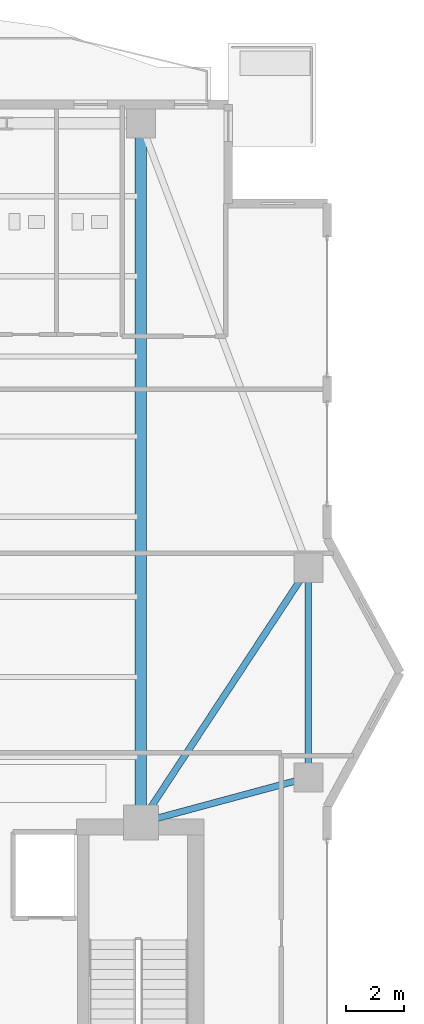
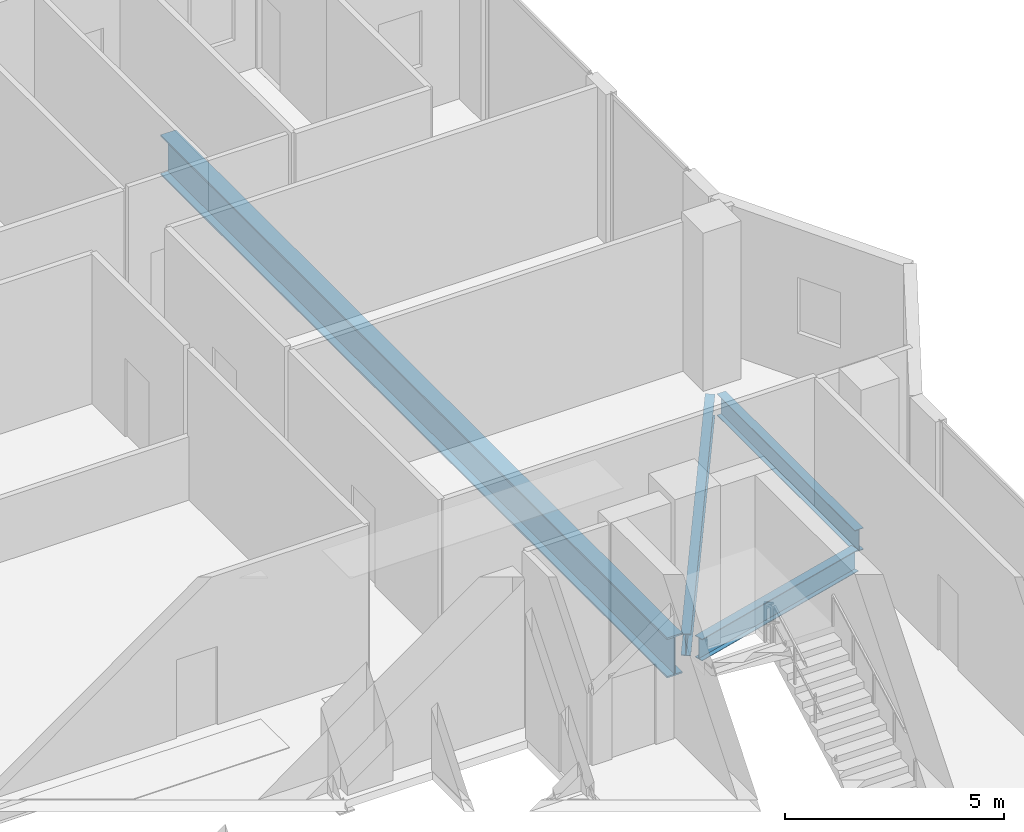
# One storey, part 9 of 24: 4 beams.
"""IFC4 building model written with IfcOpenShell, lengths in metres."""

import ifcopenshell
import ifcopenshell.guid

model = None  # the IFC model being written
_history = None  # IfcOwnerHistory: only IFC2X3 demands one
_inside = {}  # id of a spatial element -> (the spatial element, [elements in it])
_under = {}  # id of a project, library or spatial element -> (it, [spatial elements below it])
_declared = {}  # id of a project -> (the project, [libraries it declares])
_typed = {}  # id of a type object -> (the type object, [elements of that type])
_made_of = {}  # id of a material, layer set ... -> (it, [elements and type objects made of it])


def new_model(schema):
    """Start an empty IFC model of exactly this schema.

    Asked for "IFC4X3", IfcOpenShell would pick the latest addendum, in which some entities
    have other attributes; the version numbers below select the first issue.
    IFC2X3 requires an IfcOwnerHistory on every rooted entity: one is made here for all.
    """
    global model, _history
    if schema == "IFC4X3":
        model = ifcopenshell.file(schema_version=(4, 3, 0, 0))
    else:
        model = ifcopenshell.file(schema=schema)
    _inside.clear()
    _under.clear()
    _declared.clear()
    _typed.clear()
    _made_of.clear()
    _history = None
    if model.schema == "IFC2X3":
        org = make("IfcOrganization", Name="unknown")
        user = make(
            "IfcPersonAndOrganization",
            ThePerson=make("IfcPerson", FamilyName="unknown"),
            TheOrganization=org,
        )
        app = make(
            "IfcApplication",
            ApplicationDeveloper=org,
            Version="unknown",
            ApplicationFullName="unknown",
            ApplicationIdentifier="unknown",
        )
        _history = make(
            "IfcOwnerHistory",
            OwningUser=user,
            OwningApplication=app,
            ChangeAction="ADDED",
            CreationDate=0,
        )
    return model


def make(cls, **values):
    """One entity of the class cls with the attributes given. An attribute that is None is left unset."""
    return model.create_entity(
        cls, **{name: value for name, value in values.items() if value is not None}
    )


def rooted(cls, **values):
    """An entity with a GlobalId (a new one), such as an element, a storey or a relation."""
    return make(cls, GlobalId=ifcopenshell.guid.new(), OwnerHistory=_history, **values)


def si_unit(unit_type, name, prefix=None):
    """IfcSIUnit, for example si_unit("LENGTHUNIT", "METRE", prefix="MILLI")."""
    return make("IfcSIUnit", UnitType=unit_type, Prefix=prefix, Name=name)


def assignment(units):
    """IfcUnitAssignment: the units of a project."""
    return None if units is None else make("IfcUnitAssignment", Units=units)


def point(xyz):
    """IfcCartesianPoint."""
    return None if xyz is None else make("IfcCartesianPoint", Coordinates=xyz)


def direction(xyz):
    """IfcDirection."""
    return None if xyz is None else make("IfcDirection", DirectionRatios=xyz)


def frame(location, z_axis=None, x_axis=None):
    """IfcAxis2Placement3D, a coordinate frame: its origin and axes. An axis left out is left unset."""
    return make(
        "IfcAxis2Placement3D",
        Location=point(location),
        Axis=direction(z_axis),
        RefDirection=direction(x_axis),
    )


def frame_2d(location, x_axis=None):
    """IfcAxis2Placement2D, a coordinate frame in the plane: its origin and x axis."""
    return make(
        "IfcAxis2Placement2D", Location=point(location), RefDirection=direction(x_axis)
    )


def origin():
    """The frame at (0, 0, 0) with its axes left unset."""
    return frame((0.0, 0.0, 0.0))


def origin_2d():
    """The frame at (0, 0) in the plane with its x axis left unset."""
    return frame_2d((0.0, 0.0))


def place(relative_to, where):
    """IfcLocalPlacement: puts the frame where relative to a parent placement (None: the world)."""
    return make(
        "IfcLocalPlacement", PlacementRelTo=relative_to, RelativePlacement=where
    )


def context(
    kind, dimensions, precision=None, world=None, true_north=None, identifier=None
):
    """IfcGeometricRepresentationContext, for example the 3D "Model" context."""
    return make(
        "IfcGeometricRepresentationContext",
        ContextIdentifier=identifier,
        ContextType=kind,
        CoordinateSpaceDimension=dimensions,
        Precision=precision,
        WorldCoordinateSystem=world,
        TrueNorth=true_north,
    )


def subcontext(parent, identifier, kind, view, scale=None):
    """IfcGeometricRepresentationSubContext, for example "Body" below "Model"."""
    return make(
        "IfcGeometricRepresentationSubContext",
        ContextIdentifier=identifier,
        ContextType=kind,
        ParentContext=parent,
        TargetScale=scale,
        TargetView=view,
    )


def project(units=None, contexts=None):
    """IfcProject with its units and contexts."""
    return rooted(
        "IfcProject",
        Name="project",
        RepresentationContexts=contexts,
        UnitsInContext=assignment(units),
    )


def spatial(cls, under=None, at=None, **own):
    """A site, building, storey or space (cls), placed at a placement, below another one or the project."""
    s = rooted(cls, ObjectPlacement=at, **own)
    if under is not None:
        _under.setdefault(under.id(), (under, []))[1].append(s)
    return s


def profile(cls, at=None, kind="AREA", **sizes):
    """A parametric profile (cls). Its sizes go by their IFC names, for example OverallWidth=200.0."""
    return make(cls, ProfileType=kind, Position=at, **sizes)


def i_section(**sizes):
    """IfcIShapeProfileDef."""
    return profile("IfcIShapeProfileDef", **sizes)


def extrude(swept, where, along, depth):
    """IfcExtrudedAreaSolid: the profile swept, set in the frame where, extruded along a direction by depth."""
    return make(
        "IfcExtrudedAreaSolid",
        SweptArea=swept,
        Position=where,
        ExtrudedDirection=direction(along),
        Depth=depth,
    )


def shape(context_of_items, identifier, shape_type, items):
    """IfcShapeRepresentation: the items that make up one representation, for example the "Body"."""
    return make(
        "IfcShapeRepresentation",
        ContextOfItems=context_of_items,
        RepresentationIdentifier=identifier,
        RepresentationType=shape_type,
        Items=items,
    )


def material(Name=None, Category=None):
    """IfcMaterial."""
    return make("IfcMaterial", Name=Name, Category=Category)


def material_profile(
    of_material, cross_section, Name=None, Category=None, Priority=None
):
    """IfcMaterialProfile: a cross section and its material."""
    return make(
        "IfcMaterialProfile",
        Name=Name,
        Material=of_material,
        Profile=cross_section,
        Priority=Priority,
        Category=Category,
    )


def profile_set(profiles, Name=None, composite=None):
    """IfcMaterialProfileSet."""
    return make(
        "IfcMaterialProfileSet",
        Name=Name,
        MaterialProfiles=profiles,
        CompositeProfile=composite,
    )


def made_of(thing, what):
    """Note that an element or type object is made of a material, layer set ...; save() writes the relation."""
    if what is not None:
        _made_of.setdefault(what.id(), (what, []))[1].append(thing)
    return thing


def type_object(cls, material=None, **own):
    """A type object (cls), such as IfcWallType, which elements share."""
    return made_of(rooted(cls, **own), material)


def element(
    cls,
    number,
    at=None,
    inside=None,
    cuts=None,
    type_object=None,
    material=None,
    context=None,
    identifier="Body",
    shape_type=None,
    held_by="IfcProductDefinitionShape",
    body=None,
    shapes=None,
    **own,
):
    """One element of the class cls, such as IfcWall. Its Tag is "e" and its number.

    at: its placement. inside: the storey or other place that contains it. cuts: it is an
    opening in that element (IfcRelVoidsElement). A single representation is given by context,
    identifier, shape_type and body (its items); several are given by shapes. held_by: the class
    of the entity that holds the representations. save() writes the other relations.
    """
    e = rooted(cls, Tag="e%d" % number, ObjectPlacement=at, **own)
    if body is not None:
        shapes = [shape(context, identifier, shape_type, body)]
    if shapes is not None:
        e.Representation = make(held_by, Representations=shapes)
    if inside is not None:
        _inside.setdefault(inside.id(), (inside, []))[1].append(e)
    if cuts is not None:
        rooted(
            "IfcRelVoidsElement", RelatingBuildingElement=cuts, RelatedOpeningElement=e
        )
    if type_object is not None:
        _typed.setdefault(type_object.id(), (type_object, []))[1].append(e)
    return made_of(e, material)


def aggregate(whole, parts):
    """IfcRelAggregates: a whole, such as a stair, and the parts it consists of."""
    return rooted("IfcRelAggregates", RelatingObject=whole, RelatedObjects=parts)


def save(model, path):
    """Write the relations noted so far, then the file.

    IfcRelAggregates (storeys below a building ...), IfcRelContainedInSpatialStructure (elements
    in a storey), IfcRelDefinesByType, IfcRelAssociatesMaterial and IfcRelDeclares: one each for
    every whole, place, type object, material and project.
    """
    for whole, parts in _under.values():
        aggregate(whole, parts)
    for where, things in _inside.values():
        rooted(
            "IfcRelContainedInSpatialStructure",
            RelatedElements=things,
            RelatingStructure=where,
        )
    for kind, things in _typed.values():
        rooted("IfcRelDefinesByType", RelatedObjects=things, RelatingType=kind)
    for what, things in _made_of.values():
        rooted("IfcRelAssociatesMaterial", RelatedObjects=things, RelatingMaterial=what)
    for by, libraries in _declared.values():
        rooted("IfcRelDeclares", RelatingContext=by, RelatedDefinitions=libraries)
    model.write(path)


model = new_model("IFC4")

# Units and contexts
model_context = context("Model", 3, precision=1e-05, world=origin(), true_north=direction((0.0, 1.0)))
body_context = subcontext(model_context, "Body", "Model", "MODEL_VIEW")
ifc_project = project(units=[si_unit("LENGTHUNIT", "METRE"), si_unit("AREAUNIT", "SQUARE_METRE"), si_unit("VOLUMEUNIT", "CUBIC_METRE"), si_unit("PLANEANGLEUNIT", "RADIAN"), si_unit("MASSUNIT", "GRAM", prefix="KILO")], contexts=[model_context])

# Site, building, storey
site_placement = place(None, origin())
site = spatial("IfcSite", under=ifc_project, at=site_placement, CompositionType="ELEMENT")
building_placement = place(site_placement, origin())
building = spatial("IfcBuilding", under=site, at=building_placement, Name="Zuhayl Quay Hotel", CompositionType="ELEMENT")
storey_placement = place(building_placement, frame((0.0, 0.0, 292.85009765625)))
storey = spatial("IfcBuildingStorey", under=building, at=storey_placement, Name="L74", CompositionType="ELEMENT", Elevation=292.85009765625)

# Beams
ifc_material_1 = material(Name="Steel ASTM A992 Grade 50", Category="steel")
ifc_material_profile_1 = material_profile(ifc_material_1, i_section(OverallWidth=0.22802734375, OverallDepth=0.60693359375, WebThickness=0.01123046875, FlangeThickness=0.017333984375, at=origin_2d()), Name="W24X76")
ifc_profile_set_1 = profile_set([ifc_material_profile_1], Name="Steel ASTM A992 Grade 50")
beam_type_1 = type_object("IfcBeamType", Name="BM_B3_W24X76", PredefinedType="BEAM", material=ifc_profile_set_1)
beam_1_placement = place(storey_placement, frame((19.550048828125, 16.360107421875, -0.523681640625), z_axis=(0.0, 1.0, 0.0), x_axis=(-1.0, 0.0, 0.0)))
element("IfcBeam", 1, at=beam_1_placement, inside=storey, type_object=beam_type_1, Name="L74 Floor Beam RG_L74_05", PredefinedType="BEAM", context=body_context, shape_type="SweptSolid", body=[
    extrude(i_section(OverallWidth=0.22802734375, OverallDepth=0.60693359375, WebThickness=0.01123046875, FlangeThickness=0.017333984375, at=origin_2d()), origin(), (0.0, 0.0, 1.0), 6.27978515625),
])
beam_2_placement = place(storey_placement, frame((14.234619140625, 14.467041015625, -0.523681640625), z_axis=(0.965530205773, 0.26029103277, 0.0), x_axis=(-0.26029103277, 0.965530205773, 0.0)))
element("IfcBeam", 2, at=beam_2_placement, inside=storey, type_object=beam_type_1, Name="L74 Floor Beam FG_E_L74_1", PredefinedType="BEAM", context=body_context, shape_type="SweptSolid", body=[
    extrude(i_section(OverallWidth=0.22802734375, OverallDepth=0.60693359375, WebThickness=0.01123046875, FlangeThickness=0.017333984375, at=origin_2d()), origin(), (0.0, 0.0, 1.0), 5.045166015625),
])
beam_3_placement = place(storey_placement, frame((14.047119140625, 14.72607421875, -0.523681640625), z_axis=(0.549177886661, 0.835705479701, 0.0), x_axis=(-0.835705479701, 0.549177886661, 0.0)))
element("IfcBeam", 3, at=beam_3_placement, inside=storey, type_object=beam_type_1, Name="L74 Floor Beam FG_E_L74_2", PredefinedType="BEAM", context=body_context, shape_type="SweptSolid", body=[
    extrude(i_section(OverallWidth=0.22802734375, OverallDepth=0.60693359375, WebThickness=0.01123046875, FlangeThickness=0.017333984375, at=origin_2d()), origin(), (0.0, 0.0, 1.0), 9.560302734375),
])
ifc_material_2 = material(Name="Steel ASTM A913 Grade 65", Category="steel")
ifc_material_profile_2 = material_profile(ifc_material_2, i_section(OverallWidth=0.404052734375, OverallDepth=1.117919921875, WebThickness=0.026123046875, FlangeThickness=0.044921875, at=origin_2d()), Name="W44X335")
ifc_profile_set_2 = profile_set([ifc_material_profile_2], Name="Steel ASTM A913 Grade 65")
beam_type_2 = type_object("IfcBeamType", Name="BM_TG1_W44X335", PredefinedType="BEAM", material=ifc_profile_set_2)
beam_4_placement = place(storey_placement, frame((13.800048828125, 14.800048828125, -0.779052734375), z_axis=(0.0, 1.0, 0.0), x_axis=(-1.0, 0.0, 0.0)))
element("IfcBeam", 4, at=beam_4_placement, inside=storey, type_object=beam_type_2, Name="L74 Floor Beam FG_N_L74_4", PredefinedType="BEAM", context=body_context, shape_type="SweptSolid", body=[
    extrude(i_section(OverallWidth=0.404052734375, OverallDepth=1.117919921875, WebThickness=0.026123046875, FlangeThickness=0.044921875, at=origin_2d()), origin(), (0.0, 0.0, 1.0), 23.08984375),
])

save(model, "model.ifc")
